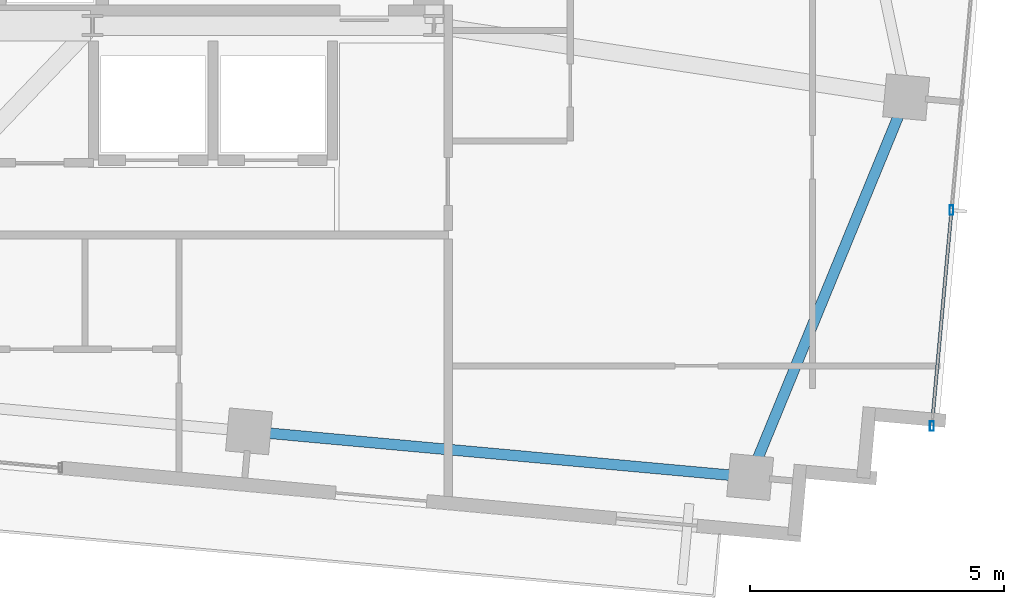
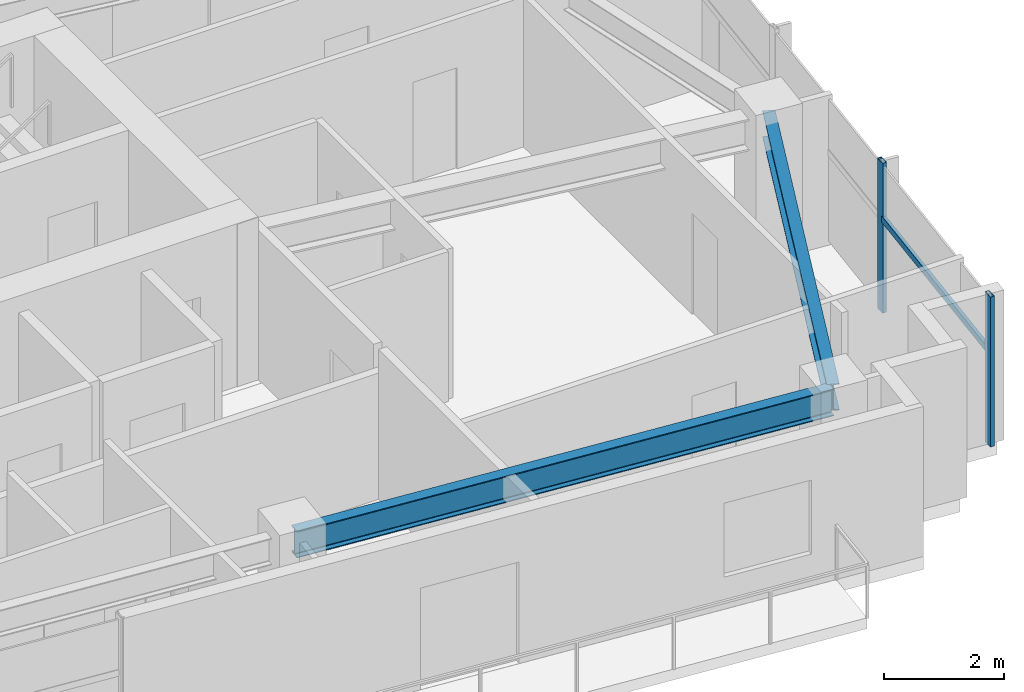
# One storey, part 12 of 22: 3 members, 2 beams, 1 element without a shape of its own.
"""IFC4 building model written with IfcOpenShell, lengths in metres."""

from ifc_helpers import new_model, si_unit, direction, frame, origin, origin_2d, place, context, subcontext, project, spatial, hollow_rectangle, i_section, extrude, source, transform, mapped, material, material_profile, profile_set, type_object, type_shapes, element, aggregate, save


model = new_model("IFC4")

# Units and contexts
model_context = context("Model", 3, precision=1e-05, world=origin(), true_north=direction((0.0, 1.0)))
body_context = subcontext(model_context, "Body", "Model", "MODEL_VIEW")
ifc_project = project(units=[si_unit("LENGTHUNIT", "METRE"), si_unit("AREAUNIT", "SQUARE_METRE"), si_unit("VOLUMEUNIT", "CUBIC_METRE"), si_unit("PLANEANGLEUNIT", "RADIAN"), si_unit("MASSUNIT", "GRAM", prefix="KILO")], contexts=[model_context])

# Site, building, storey
site_placement = place(None, origin())
site = spatial("IfcSite", under=ifc_project, at=site_placement, CompositionType="ELEMENT")
building_placement = place(site_placement, origin())
building = spatial("IfcBuilding", under=site, at=building_placement, Name="Astriad Promenade Condominiums", CompositionType="ELEMENT")
storey_placement = place(building_placement, frame((0.0, 0.0, 219.89990234375)))
storey = spatial("IfcBuildingStorey", under=building, at=storey_placement, Name="L63", CompositionType="ELEMENT", Elevation=219.89990234375)

# Beams
ifc_material_1 = material(Name="Steel ASTM A992 Grade 50", Category="steel")
ifc_material_profile_1 = material_profile(ifc_material_1, i_section(OverallWidth=0.210693359375, OverallDepth=0.53955078125, WebThickness=0.01171875, FlangeThickness=0.018798828125, FilletRadius=0.0166015625, at=origin_2d()), Name="W21X73")
ifc_profile_set_1 = profile_set([ifc_material_profile_1], Name="Steel ASTM A992 Grade 50")
beam_type = type_object("IfcBeamType", Name="STEEL SPANDREL BEAM W21X73", PredefinedType="SPANDREL", material=ifc_profile_set_1)
shared_shape_1 = source(origin(), body_context, "Body", "SweptSolid", [
    extrude(i_section(OverallWidth=0.210693359375, OverallDepth=0.53955078125, WebThickness=0.01171875, FlangeThickness=0.018798828125, FilletRadius=0.0166015625, at=origin_2d()), origin(), (0.0, 0.0, 1.0), 9.820068359375),
])
beam_1_placement = place(storey_placement, frame((41.99951171875, 9.410888671875, 2.7705078125), z_axis=(0.995883214993, -0.090645585088, 0.0), x_axis=(0.090645585088, 0.995883214993, 0.0)))
element("IfcBeam", 1, at=beam_1_placement, inside=storey, type_object=beam_type, Name="Perimeter Spandrel Beam SP-S4-L63", PredefinedType="SPANDREL", context=body_context, shape_type="MappedRepresentation", body=[
    mapped(shared_shape_1, transform((0.0, 0.0, 0.0), scale=1.0)),
])
shared_shape_2 = source(origin(), body_context, "Body", "SweptSolid", [
    extrude(i_section(OverallWidth=0.210693359375, OverallDepth=0.53955078125, WebThickness=0.01171875, FlangeThickness=0.018798828125, FilletRadius=0.0166015625, at=origin_2d()), origin(), (0.0, 0.0, 1.0), 7.998779296875),
])
type_shapes(beam_type, [shared_shape_1, shared_shape_2])
beam_2_placement = place(storey_placement, frame((51.833984375, 8.55419921875, 2.7705078125), z_axis=(0.38000513148, 0.924984378273, 0.0), x_axis=(-0.924984378273, 0.38000513148, 0.0)))
element("IfcBeam", 2, at=beam_2_placement, inside=storey, type_object=beam_type, Name="Perimeter Spandrel Beam SP-E1-L63", PredefinedType="SPANDREL", context=body_context, shape_type="MappedRepresentation", body=[
    mapped(shared_shape_2, transform((0.0, 0.0, 0.0), scale=1.0)),
])

# Curtain wall, members
ifc_material_2 = material(Name="Anodised aluminium Black Dark Glass Unitised", Category="aluminium")
curtain_wall_type = type_object("IfcCurtainWallType", Name="CW-B5-DARK", PredefinedType="USERDEFINED", material=ifc_material_2)
curtain_wall_placement = place(storey_placement, origin())
curtain_wall = element("IfcCurtainWall", 3, at=curtain_wall_placement, inside=storey, type_object=curtain_wall_type, Name="CW-L63-E", ObjectType="UNITISED_CURTAIN_WALL", PredefinedType="USERDEFINED")
ifc_material_3 = material(Name="Anodised aluminium 6063-T6 Black", Category="aluminium")
ifc_material_profile_2 = material_profile(ifc_material_3, hollow_rectangle(XDim=0.06494140625, YDim=0.1298828125, WallThickness=0.00390625, at=origin_2d()), Name="ALU-TRN-65X130")
ifc_profile_set_2 = profile_set([ifc_material_profile_2], Name="Anodised aluminium 6063-T6 Black")
member_type_1 = type_object("IfcMemberType", Name="TRN-ALU-TRN-65X130", PredefinedType="USERDEFINED", material=ifc_profile_set_2)
shared_shape_3 = source(origin(), body_context, "Body", "SweptSolid", [
    extrude(hollow_rectangle(XDim=0.06494140625, YDim=0.1298828125, WallThickness=0.00390625, at=origin_2d()), origin(), (0.0, 0.0, 1.0), 4.2666015625),
])
type_shapes(member_type_1, [shared_shape_3])
member_1_placement = place(storey_placement, frame((55.78076171875, 13.766357421875, 1.885009765625), z_axis=(-0.090638931954, -0.99588382054, 0.0), x_axis=(0.99588382054, -0.090638931954, 0.0)))
member_1 = element("IfcMember", 4, at=member_1_placement, type_object=member_type_1, Name="CW-L63-E-TRN-02-0", ObjectType="TRANSOM", PredefinedType="USERDEFINED", context=body_context, shape_type="MappedRepresentation", body=[
    mapped(shared_shape_3, transform((0.0, 0.0, 0.0), scale=1.0)),
])
ifc_material_profile_3 = material_profile(ifc_material_3, hollow_rectangle(XDim=0.074951171875, YDim=0.18505859375, WallThickness=0.00439453125, at=origin_2d()), Name="ALU-MUL-75X185")
ifc_profile_set_3 = profile_set([ifc_material_profile_3], Name="Anodised aluminium 6063-T6 Black")
member_type_2 = type_object("IfcMemberType", Name="MUL-ALU-MUL-75X185", PredefinedType="MULLION", material=ifc_profile_set_3)
shared_shape_4 = source(origin(), body_context, "Body", "SweptSolid", [
    extrude(hollow_rectangle(XDim=0.074951171875, YDim=0.18505859375, WallThickness=0.00439453125, at=origin_2d()), origin(), (0.0, 0.0, 1.0), 3.0400390625),
])
type_shapes(member_type_2, [shared_shape_4])
member_2_placement = place(storey_placement, frame((55.78076171875, 13.766357421875, 0.0), z_axis=(0.0, 0.0, 1.0), x_axis=(1.0, 0.0, 0.0)))
member_2 = element("IfcMember", 5, at=member_2_placement, type_object=member_type_2, Name="CW-L63-E-MUL-02", PredefinedType="MULLION", context=body_context, shape_type="MappedRepresentation", body=[
    mapped(shared_shape_4, transform((0.0, 0.0, 0.0), scale=1.0)),
])
member_3_placement = place(storey_placement, frame((55.39404296875, 9.517333984375, 0.0), z_axis=(0.0, 0.0, 1.0), x_axis=(1.0, 0.0, 0.0)))
member_3 = element("IfcMember", 6, at=member_3_placement, type_object=member_type_2, Name="CW-L63-E-MUL-03", PredefinedType="MULLION", context=body_context, shape_type="MappedRepresentation", body=[
    mapped(shared_shape_4, transform((0.0, 0.0, 0.0), scale=1.0)),
])
aggregate(curtain_wall, [member_2, member_3, member_1])

save(model, "model.ifc")
